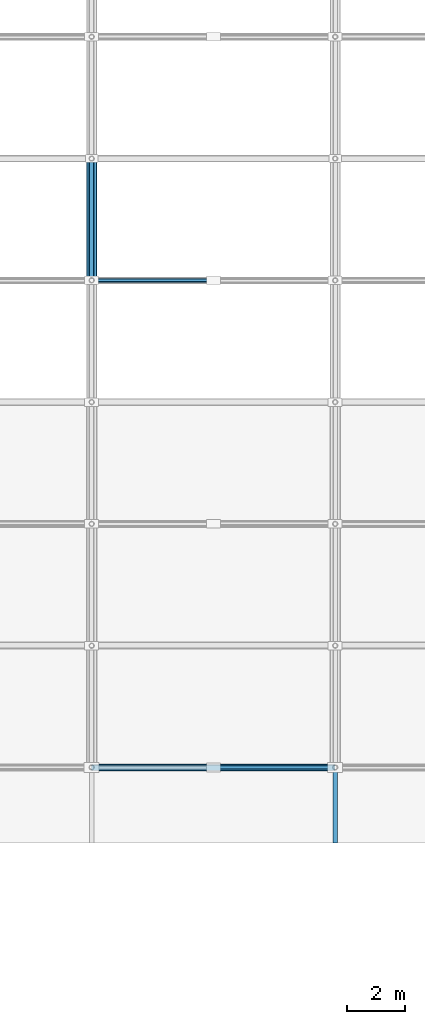
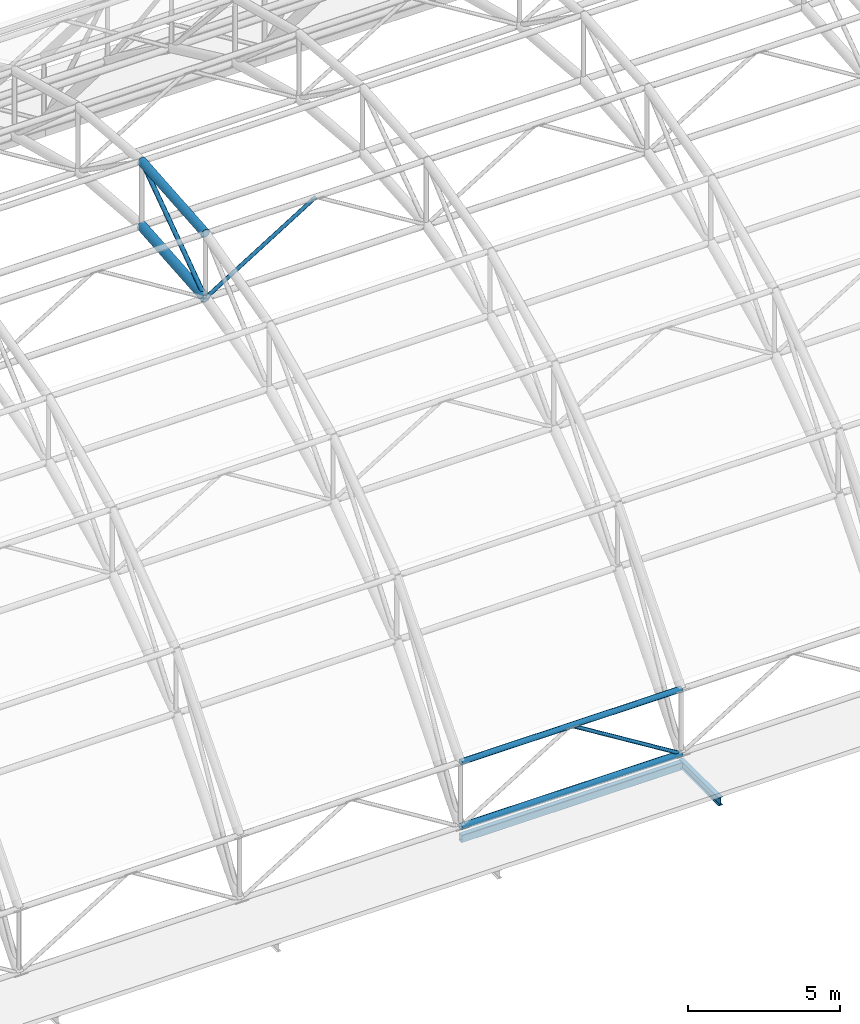
# One storey, part 28 of 103: 5 members, 4 beams.
"""IFC4 building model written with IfcOpenShell, lengths in metres."""

from ifc_helpers import new_model, si_unit, direction, frame, origin, origin_2d, place, context, subcontext, project, spatial, hollow_rectangle, hollow_circle, i_section, extrude, material, material_profile, profile_set, type_object, element, save


model = new_model("IFC4")

# Units and contexts
model_context = context("Model", 3, precision=1e-05, world=origin(), true_north=direction((0.0, 1.0)))
body_context = subcontext(model_context, "Body", "Model", "MODEL_VIEW")
ifc_project = project(units=[si_unit("LENGTHUNIT", "METRE"), si_unit("AREAUNIT", "SQUARE_METRE"), si_unit("VOLUMEUNIT", "CUBIC_METRE"), si_unit("PLANEANGLEUNIT", "RADIAN"), si_unit("MASSUNIT", "GRAM", prefix="KILO")], contexts=[model_context])

# Site, building, storey
site_placement = place(None, origin())
site = spatial("IfcSite", under=ifc_project, at=site_placement, CompositionType="ELEMENT")
building_placement = place(site_placement, origin())
building = spatial("IfcBuilding", under=site, at=building_placement, Name="Varnapada Polytechnic", CompositionType="ELEMENT")
storey_placement = place(building_placement, frame((0.0, 0.0, 18.0)))
storey = spatial("IfcBuildingStorey", under=building, at=storey_placement, Name="L04", CompositionType="ELEMENT", Elevation=18.0)

# Beam
ifc_material = material(Name="Steel S355", Category="steel")
ifc_material_profile_1 = material_profile(ifc_material, i_section(OverallWidth=0.159912109375, OverallDepth=0.330078125, WebThickness=0.007568359375, FlangeThickness=0.011474609375, FilletRadius=0.01806640625, at=origin_2d()), Name="IPE 330")
ifc_profile_set_1 = profile_set([ifc_material_profile_1], Name="Steel S355")
beam_type_1 = type_object("IfcBeamType", Name="Clerestory monitor steel rafter SB-07 (IPE 330)", PredefinedType="BEAM", material=ifc_profile_set_1)
beam_1_placement = place(storey_placement, frame((100.800048828125, 84.0, -0.35009765625), z_axis=(0.0, -1.0, 0.0), x_axis=(1.0, 0.0, 0.0)))
element("IfcBeam", 1, at=beam_1_placement, inside=storey, type_object=beam_type_1, Name="Workshop eave shade outlooker S.7", PredefinedType="BEAM", context=body_context, shape_type="SweptSolid", body=[
    extrude(i_section(OverallWidth=0.159912109375, OverallDepth=0.330078125, WebThickness=0.007568359375, FlangeThickness=0.011474609375, FilletRadius=0.01806640625, at=origin_2d()), origin(), (0.0, 0.0, 1.0), 2.60009765625),
])

# Members
ifc_material_profile_2 = material_profile(ifc_material, hollow_circle(Radius=0.122314453125, WallThickness=0.008056640625, at=origin_2d()), Name="CHS 244.5x8.0")
ifc_profile_set_2 = profile_set([ifc_material_profile_2], Name="Steel S355")
member_type_1 = type_object("IfcMemberType", Name="Vaulted space frame longitudinal bottom chord SFC-01 (CHS 244.5x8.0)", PredefinedType="CHORD", material=ifc_profile_set_2)
member_1_placement = place(storey_placement, frame((92.39990234375, 84.0, 0.0), z_axis=(1.0, 0.0, 0.0), x_axis=(0.0, 1.0, 0.0)))
element("IfcMember", 2, at=member_1_placement, inside=storey, type_object=member_type_1, Name="Vaulted space frame longitudinal bottom chord 6.1", PredefinedType="CHORD", context=body_context, shape_type="SweptSolid", body=[
    extrude(hollow_circle(Radius=0.122314453125, WallThickness=0.008056640625, at=origin_2d()), origin(), (0.0, 0.0, 1.0), 8.400146484375),
])
ifc_material_profile_3 = material_profile(ifc_material, hollow_circle(Radius=0.109619140625, WallThickness=0.008056640625, at=origin_2d()), Name="CHS 219.1x8.0")
ifc_profile_set_3 = profile_set([ifc_material_profile_3], Name="Steel S355")
member_type_2 = type_object("IfcMemberType", Name="Vaulted space frame longitudinal top chord SFC-02 (CHS 219.1x8.0)", PredefinedType="CHORD", material=ifc_profile_set_3)
member_2_placement = place(storey_placement, frame((92.39990234375, 84.0, 2.60009765625), z_axis=(1.0, 0.0, 0.0), x_axis=(0.0, 1.0, 0.0)))
element("IfcMember", 3, at=member_2_placement, inside=storey, type_object=member_type_2, Name="Vaulted space frame longitudinal top chord 6.1", PredefinedType="CHORD", context=body_context, shape_type="SweptSolid", body=[
    extrude(hollow_circle(Radius=0.109619140625, WallThickness=0.008056640625, at=origin_2d()), origin(), (0.0, 0.0, 1.0), 8.400146484375),
])

# Beam
ifc_material_profile_4 = material_profile(ifc_material, hollow_circle(Radius=0.177734375, WallThickness=0.012451171875, at=origin_2d()), Name="CHS 355.6x12.5")
ifc_profile_set_4 = profile_set([ifc_material_profile_4], Name="Steel S355")
beam_type_2 = type_object("IfcBeamType", Name="Vaulted space frame primary arch rib VA-01 (CHS 355.6x12.5)", PredefinedType="BEAM", material=ifc_profile_set_4)
beam_2_placement = place(storey_placement, frame((92.39990234375, 100.800048828125, 11.080078125), z_axis=(0.0, 0.99644233396, 0.084277369988), x_axis=(-1.0, 0.0, 0.0)))
element("IfcBeam", 4, at=beam_2_placement, inside=storey, type_object=beam_type_2, Name="Vaulted space frame bottom arch chord 6.5", PredefinedType="BEAM", context=body_context, shape_type="SweptSolid", body=[
    extrude(hollow_circle(Radius=0.177734375, WallThickness=0.012451171875, at=origin_2d()), origin(), (0.0, 0.0, 1.0), 4.21484375),
])

# Members
ifc_material_profile_5 = material_profile(ifc_material, hollow_circle(Radius=0.084228515625, WallThickness=0.00634765625, at=origin_2d()), Name="CHS 168.3x6.3")
ifc_profile_set_5 = profile_set([ifc_material_profile_5], Name="Steel S355")
member_type_3 = type_object("IfcMemberType", Name="Vaulted space frame primary web diagonal SFB-01 (CHS 168.3x6.3)", PredefinedType="BRACE", material=ifc_profile_set_5)
member_3_placement = place(storey_placement, frame((92.39990234375, 100.800048828125, 11.080078125), z_axis=(0.0, 0.817824649693, 0.575467498956), x_axis=(-1.0, 0.0, 0.0)))
element("IfcMember", 5, at=member_3_placement, inside=storey, type_object=member_type_3, Name="Vaulted space frame web diagonal 6.5", PredefinedType="BRACE", context=body_context, shape_type="SweptSolid", body=[
    extrude(hollow_circle(Radius=0.084228515625, WallThickness=0.00634765625, at=origin_2d()), origin(), (0.0, 0.0, 1.0), 5.135498046875),
])
ifc_material_profile_6 = material_profile(ifc_material, hollow_circle(Radius=0.06982421875, WallThickness=0.0048828125, at=origin_2d()), Name="CHS 139.7x5.0")
ifc_profile_set_6 = profile_set([ifc_material_profile_6], Name="Steel S355")
member_type_4 = type_object("IfcMemberType", Name="Vaulted space frame secondary web diagonal SFB-02 (CHS 139.7x5.0)", PredefinedType="BRACE", material=ifc_profile_set_6)
for number, where, z_axis, x_axis, name in (
    (6, (100.800048828125, 84.0, 0.0), (-0.85025356003, 0.0, 0.526373331065), (0.0, -1.0, 0.0), "Vaulted space frame longitudinal brace 6.1B"),
    (7, (92.39990234375, 100.800048828125, 11.080078125), (0.850289371618, 0.0, 0.526315480025), (0.0, 1.0, 0.0), "Vaulted space frame longitudinal brace 6.5A"),
):
    element("IfcMember", number, at=place(storey_placement, frame(where, z_axis=z_axis, x_axis=x_axis)), inside=storey, type_object=member_type_4, Name=name, PredefinedType="BRACE", context=body_context, shape_type="SweptSolid", body=[
        extrude(hollow_circle(Radius=0.06982421875, WallThickness=0.0048828125, at=origin_2d()), origin(), (0.0, 0.0, 1.0), 4.939697265625),
    ])

# Beams
ifc_material_profile_7 = material_profile(ifc_material, hollow_circle(Radius=0.161865234375, WallThickness=0.010009765625, at=origin_2d()), Name="CHS 323.9x10.0")
ifc_profile_set_7 = profile_set([ifc_material_profile_7], Name="Steel S355")
beam_type_3 = type_object("IfcBeamType", Name="Vaulted space frame upper arch rib VA-02 (CHS 323.9x10.0)", PredefinedType="BEAM", material=ifc_profile_set_7)
beam_3_placement = place(storey_placement, frame((92.39990234375, 100.800048828125, 13.679931640625), z_axis=(0.0, 0.996437468128, 0.084334880753), x_axis=(-1.0, 0.0, 0.0)))
element("IfcBeam", 8, at=beam_3_placement, inside=storey, type_object=beam_type_3, Name="Vaulted space frame top arch chord 6.5", PredefinedType="BEAM", context=body_context, shape_type="SweptSolid", body=[
    extrude(hollow_circle(Radius=0.161865234375, WallThickness=0.010009765625, at=origin_2d()), origin(), (0.0, 0.0, 1.0), 4.215087890625),
])
ifc_material_profile_8 = material_profile(ifc_material, hollow_rectangle(XDim=0.199951171875, YDim=0.300048828125, WallThickness=0.010009765625, InnerFilletRadius=0.010009765625, OuterFilletRadius=0.02001953125, at=origin_2d()), Name="RHS 300x200x10")
ifc_profile_set_8 = profile_set([ifc_material_profile_8], Name="Steel S355")
beam_type_4 = type_object("IfcBeamType", Name="Workshop steel spandrel tie SP-03 (RHS 300x200x10)", PredefinedType="SPANDREL", material=ifc_profile_set_8)
beam_4_placement = place(storey_placement, frame((92.39990234375, 84.0, -0.449951171875), z_axis=(1.0, 0.0, 0.0), x_axis=(0.0, 1.0, 0.0)))
element("IfcBeam", 9, at=beam_4_placement, inside=storey, type_object=beam_type_4, Name="L04 workshop clerestory tie X12-13 Y11", PredefinedType="SPANDREL", context=body_context, shape_type="SweptSolid", body=[
    extrude(hollow_rectangle(XDim=0.199951171875, YDim=0.300048828125, WallThickness=0.010009765625, InnerFilletRadius=0.010009765625, OuterFilletRadius=0.02001953125, at=origin_2d()), origin(), (0.0, 0.0, 1.0), 8.400146484375),
])

save(model, "model.ifc")
